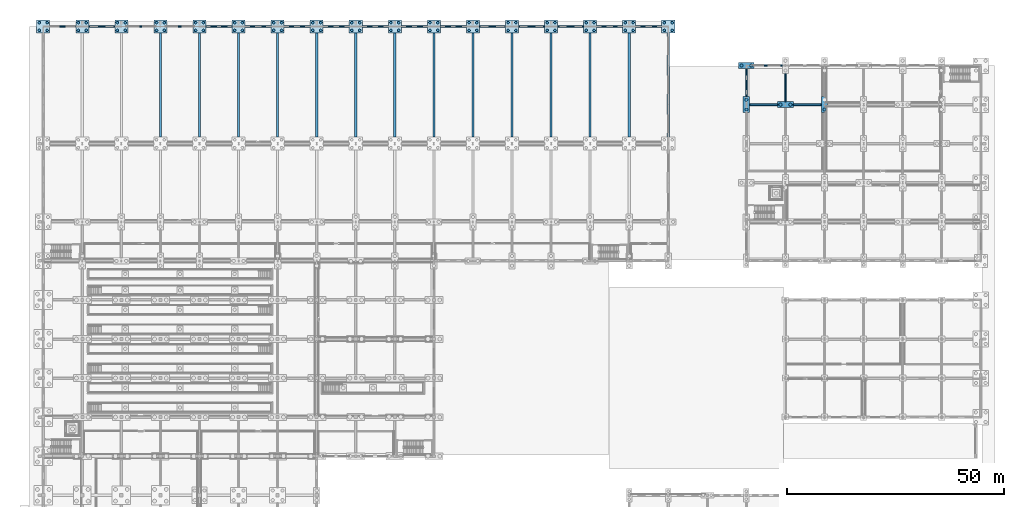
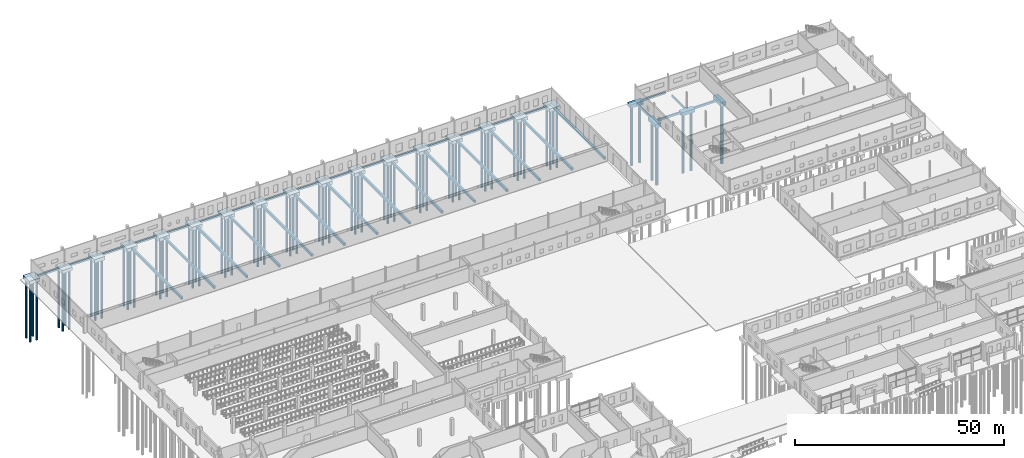
# One storey, part 17 of 112: 75 piles, 56 footings.
"""IFC4 building model written with IfcOpenShell, lengths in metres."""

from ifc_helpers import new_model, si_unit, direction, frame, origin, origin_2d, place, context, subcontext, project, spatial, polyline, rectangle, circle, outline, extrude, material, material_profile, profile_set, type_object, element, save


model = new_model("IFC4")

# Units and contexts
model_context = context("Model", 3, precision=1e-05, world=origin(), true_north=direction((0.0, 1.0)))
body_context = subcontext(model_context, "Body", "Model", "MODEL_VIEW")
ifc_project = project(units=[si_unit("LENGTHUNIT", "METRE"), si_unit("AREAUNIT", "SQUARE_METRE"), si_unit("VOLUMEUNIT", "CUBIC_METRE"), si_unit("PLANEANGLEUNIT", "RADIAN"), si_unit("MASSUNIT", "GRAM", prefix="KILO")], contexts=[model_context])

# Site, building, storey
site_placement = place(None, origin())
site = spatial("IfcSite", under=ifc_project, at=site_placement, CompositionType="ELEMENT")
building_placement = place(site_placement, origin())
building = spatial("IfcBuilding", under=site, at=building_placement, Name="Tharagai Park Tramway Depot", CompositionType="ELEMENT")
storey_placement = place(building_placement, origin())
storey = spatial("IfcBuildingStorey", under=building, at=storey_placement, Name="L00", CompositionType="ELEMENT", Elevation=0.0)

# Piles
ifc_material = material(Name="Concrete M40", Category="concrete")
ifc_material_profile_1 = material_profile(ifc_material, circle(Radius=0.375, at=origin_2d()), Name="PILE D750")
ifc_profile_set_1 = profile_set([ifc_material_profile_1], Name="Concrete M40")
pile_type_1 = type_object("IfcPileType", Name="BP-02", PredefinedType="BORED", material=ifc_profile_set_1)
for number, where, z_axis, x_axis, name in (
    (1, (162.0, 124.875, -1.280029296875), (0.0, 0.0, -1.0), (1.0, 0.0, 0.0), "Bored Pile BP-02 (162,126) #1"),
    (2, (162.0, 127.125, -1.280029296875), (0.0, 0.0, -1.0), (1.0, 0.0, 0.0), "Bored Pile BP-02 (162,126) #2"),
):
    element("IfcPile", number, at=place(storey_placement, frame(where, z_axis=z_axis, x_axis=x_axis)), inside=storey, type_object=pile_type_1, Name=name, PredefinedType="BORED", context=body_context, shape_type="SweptSolid", body=[
        extrude(circle(Radius=0.375, at=origin_2d()), origin(), (0.0, 0.0, 1.0), 17.219970703125),
    ])
for number, where, z_axis, x_axis, name in (
    (3, (160.875, 135.0, -1.25), (0.0, 0.0, -1.0), (1.0, 0.0, 0.0), "Bored Pile BP-02 (162,135) #1"),
    (4, (163.125, 135.0, -1.25), (0.0, 0.0, -1.0), (1.0, 0.0, 0.0), "Bored Pile BP-02 (162,135) #2"),
    (5, (169.875, 126.0, -1.25), (0.0, 0.0, -1.0), (1.0, 0.0, 0.0), "Bored Pile BP-02 (171,126) #1"),
    (6, (172.125, 126.0, -1.25), (0.0, 0.0, -1.0), (1.0, 0.0, 0.0), "Bored Pile BP-02 (171,126) #2"),
):
    element("IfcPile", number, at=place(storey_placement, frame(where, z_axis=z_axis, x_axis=x_axis)), inside=storey, type_object=pile_type_1, Name=name, PredefinedType="BORED", context=body_context, shape_type="SweptSolid", body=[
        extrude(circle(Radius=0.375, at=origin_2d()), origin(), (0.0, 0.0, 1.0), 17.25),
    ])
pile_placement = place(storey_placement, frame((180.0, 124.875, -1.280029296875), z_axis=(0.0, 0.0, -1.0), x_axis=(1.0, 0.0, 0.0)))
element("IfcPile", 7, at=pile_placement, inside=storey, type_object=pile_type_1, Name="Bored Pile BP-02 (180,126) #1", PredefinedType="BORED", context=body_context, shape_type="SweptSolid", body=[
    extrude(circle(Radius=0.375, at=origin_2d()), origin(), (0.0, 0.0, 1.0), 17.219970703125),
])
ifc_material_profile_2 = material_profile(ifc_material, circle(Radius=0.300048828125, at=origin_2d()), Name="PILE D600")
ifc_profile_set_2 = profile_set([ifc_material_profile_2], Name="Concrete M40")
pile_type_2 = type_object("IfcPileType", Name="BP-03", PredefinedType="BORED", material=ifc_profile_set_2)
for number, where, z_axis, x_axis, name in (
    (8, (-0.89990234375, 143.10009765625, -1.199951171875), (0.0, 0.0, -1.0), (1.0, 0.0, 0.0), "Bored Pile BP-03 (0,144) #1"),
    (9, (0.89990234375, 143.10009765625, -1.199951171875), (0.0, 0.0, -1.0), (1.0, 0.0, 0.0), "Bored Pile BP-03 (0,144) #2"),
    (10, (-0.89990234375, 144.89990234375, -1.199951171875), (0.0, 0.0, -1.0), (1.0, 0.0, 0.0), "Bored Pile BP-03 (0,144) #3"),
    (11, (0.89990234375, 144.89990234375, -1.199951171875), (0.0, 0.0, -1.0), (1.0, 0.0, 0.0), "Bored Pile BP-03 (0,144) #4"),
    (12, (8.10009765625, 143.10009765625, -1.199951171875), (0.0, 0.0, -1.0), (1.0, 0.0, 0.0), "Bored Pile BP-03 (9,144) #1"),
    (13, (9.89990234375, 143.10009765625, -1.199951171875), (0.0, 0.0, -1.0), (1.0, 0.0, 0.0), "Bored Pile BP-03 (9,144) #2"),
    (14, (8.10009765625, 144.89990234375, -1.199951171875), (0.0, 0.0, -1.0), (1.0, 0.0, 0.0), "Bored Pile BP-03 (9,144) #3"),
    (15, (9.89990234375, 144.89990234375, -1.199951171875), (0.0, 0.0, -1.0), (1.0, 0.0, 0.0), "Bored Pile BP-03 (9,144) #4"),
    (16, (17.10009765625, 143.10009765625, -1.199951171875), (0.0, 0.0, -1.0), (1.0, 0.0, 0.0), "Bored Pile BP-03 (18,144) #1"),
    (17, (18.89990234375, 143.10009765625, -1.199951171875), (0.0, 0.0, -1.0), (1.0, 0.0, 0.0), "Bored Pile BP-03 (18,144) #2"),
    (18, (17.10009765625, 144.89990234375, -1.199951171875), (0.0, 0.0, -1.0), (1.0, 0.0, 0.0), "Bored Pile BP-03 (18,144) #3"),
    (19, (18.89990234375, 144.89990234375, -1.199951171875), (0.0, 0.0, -1.0), (1.0, 0.0, 0.0), "Bored Pile BP-03 (18,144) #4"),
    (20, (26.10009765625, 143.10009765625, -1.199951171875), (0.0, 0.0, -1.0), (1.0, 0.0, 0.0), "Bored Pile BP-03 (27,144) #1"),
    (21, (27.89990234375, 143.10009765625, -1.199951171875), (0.0, 0.0, -1.0), (1.0, 0.0, 0.0), "Bored Pile BP-03 (27,144) #2"),
    (22, (26.10009765625, 144.89990234375, -1.199951171875), (0.0, 0.0, -1.0), (1.0, 0.0, 0.0), "Bored Pile BP-03 (27,144) #3"),
    (23, (27.89990234375, 144.89990234375, -1.199951171875), (0.0, 0.0, -1.0), (1.0, 0.0, 0.0), "Bored Pile BP-03 (27,144) #4"),
    (24, (35.10009765625, 143.10009765625, -1.199951171875), (0.0, 0.0, -1.0), (1.0, 0.0, 0.0), "Bored Pile BP-03 (36,144) #1"),
    (25, (36.89990234375, 143.10009765625, -1.199951171875), (0.0, 0.0, -1.0), (1.0, 0.0, 0.0), "Bored Pile BP-03 (36,144) #2"),
    (26, (35.10009765625, 144.89990234375, -1.199951171875), (0.0, 0.0, -1.0), (1.0, 0.0, 0.0), "Bored Pile BP-03 (36,144) #3"),
    (27, (36.89990234375, 144.89990234375, -1.199951171875), (0.0, 0.0, -1.0), (1.0, 0.0, 0.0), "Bored Pile BP-03 (36,144) #4"),
    (28, (44.10009765625, 143.10009765625, -1.199951171875), (0.0, 0.0, -1.0), (1.0, 0.0, 0.0), "Bored Pile BP-03 (45,144) #1"),
    (29, (45.89990234375, 143.10009765625, -1.199951171875), (0.0, 0.0, -1.0), (1.0, 0.0, 0.0), "Bored Pile BP-03 (45,144) #2"),
    (30, (44.10009765625, 144.89990234375, -1.199951171875), (0.0, 0.0, -1.0), (1.0, 0.0, 0.0), "Bored Pile BP-03 (45,144) #3"),
    (31, (45.89990234375, 144.89990234375, -1.199951171875), (0.0, 0.0, -1.0), (1.0, 0.0, 0.0), "Bored Pile BP-03 (45,144) #4"),
    (32, (53.10009765625, 143.10009765625, -1.199951171875), (0.0, 0.0, -1.0), (1.0, 0.0, 0.0), "Bored Pile BP-03 (54,144) #1"),
    (33, (54.89990234375, 143.10009765625, -1.199951171875), (0.0, 0.0, -1.0), (1.0, 0.0, 0.0), "Bored Pile BP-03 (54,144) #2"),
    (34, (53.10009765625, 144.89990234375, -1.199951171875), (0.0, 0.0, -1.0), (1.0, 0.0, 0.0), "Bored Pile BP-03 (54,144) #3"),
    (35, (54.89990234375, 144.89990234375, -1.199951171875), (0.0, 0.0, -1.0), (1.0, 0.0, 0.0), "Bored Pile BP-03 (54,144) #4"),
    (36, (62.10009765625, 143.10009765625, -1.199951171875), (0.0, 0.0, -1.0), (1.0, 0.0, 0.0), "Bored Pile BP-03 (63,144) #1"),
    (37, (63.89990234375, 143.10009765625, -1.199951171875), (0.0, 0.0, -1.0), (1.0, 0.0, 0.0), "Bored Pile BP-03 (63,144) #2"),
    (38, (62.10009765625, 144.89990234375, -1.199951171875), (0.0, 0.0, -1.0), (1.0, 0.0, 0.0), "Bored Pile BP-03 (63,144) #3"),
    (39, (63.89990234375, 144.89990234375, -1.199951171875), (0.0, 0.0, -1.0), (1.0, 0.0, 0.0), "Bored Pile BP-03 (63,144) #4"),
    (40, (71.10009765625, 143.10009765625, -1.199951171875), (0.0, 0.0, -1.0), (1.0, 0.0, 0.0), "Bored Pile BP-03 (72,144) #1"),
    (41, (72.89990234375, 143.10009765625, -1.199951171875), (0.0, 0.0, -1.0), (1.0, 0.0, 0.0), "Bored Pile BP-03 (72,144) #2"),
    (42, (71.10009765625, 144.89990234375, -1.199951171875), (0.0, 0.0, -1.0), (1.0, 0.0, 0.0), "Bored Pile BP-03 (72,144) #3"),
    (43, (72.89990234375, 144.89990234375, -1.199951171875), (0.0, 0.0, -1.0), (1.0, 0.0, 0.0), "Bored Pile BP-03 (72,144) #4"),
    (44, (80.10009765625, 143.10009765625, -1.199951171875), (0.0, 0.0, -1.0), (1.0, 0.0, 0.0), "Bored Pile BP-03 (81,144) #1"),
    (45, (81.89990234375, 143.10009765625, -1.199951171875), (0.0, 0.0, -1.0), (1.0, 0.0, 0.0), "Bored Pile BP-03 (81,144) #2"),
    (46, (80.10009765625, 144.89990234375, -1.199951171875), (0.0, 0.0, -1.0), (1.0, 0.0, 0.0), "Bored Pile BP-03 (81,144) #3"),
    (47, (81.89990234375, 144.89990234375, -1.199951171875), (0.0, 0.0, -1.0), (1.0, 0.0, 0.0), "Bored Pile BP-03 (81,144) #4"),
    (48, (89.10009765625, 143.10009765625, -1.199951171875), (0.0, 0.0, -1.0), (1.0, 0.0, 0.0), "Bored Pile BP-03 (90,144) #1"),
    (49, (90.89990234375, 143.10009765625, -1.199951171875), (0.0, 0.0, -1.0), (1.0, 0.0, 0.0), "Bored Pile BP-03 (90,144) #2"),
    (50, (89.10009765625, 144.89990234375, -1.199951171875), (0.0, 0.0, -1.0), (1.0, 0.0, 0.0), "Bored Pile BP-03 (90,144) #3"),
    (51, (90.89990234375, 144.89990234375, -1.199951171875), (0.0, 0.0, -1.0), (1.0, 0.0, 0.0), "Bored Pile BP-03 (90,144) #4"),
    (52, (98.10009765625, 143.10009765625, -1.199951171875), (0.0, 0.0, -1.0), (1.0, 0.0, 0.0), "Bored Pile BP-03 (99,144) #1"),
    (53, (99.89990234375, 143.10009765625, -1.199951171875), (0.0, 0.0, -1.0), (1.0, 0.0, 0.0), "Bored Pile BP-03 (99,144) #2"),
    (54, (98.10009765625, 144.89990234375, -1.199951171875), (0.0, 0.0, -1.0), (1.0, 0.0, 0.0), "Bored Pile BP-03 (99,144) #3"),
    (55, (99.89990234375, 144.89990234375, -1.199951171875), (0.0, 0.0, -1.0), (1.0, 0.0, 0.0), "Bored Pile BP-03 (99,144) #4"),
    (56, (107.10009765625, 143.10009765625, -1.199951171875), (0.0, 0.0, -1.0), (1.0, 0.0, 0.0), "Bored Pile BP-03 (108,144) #1"),
    (57, (108.89990234375, 143.10009765625, -1.199951171875), (0.0, 0.0, -1.0), (1.0, 0.0, 0.0), "Bored Pile BP-03 (108,144) #2"),
    (58, (107.10009765625, 144.89990234375, -1.199951171875), (0.0, 0.0, -1.0), (1.0, 0.0, 0.0), "Bored Pile BP-03 (108,144) #3"),
    (59, (108.89990234375, 144.89990234375, -1.199951171875), (0.0, 0.0, -1.0), (1.0, 0.0, 0.0), "Bored Pile BP-03 (108,144) #4"),
    (60, (116.10009765625, 143.10009765625, -1.199951171875), (0.0, 0.0, -1.0), (1.0, 0.0, 0.0), "Bored Pile BP-03 (117,144) #1"),
    (61, (117.89990234375, 143.10009765625, -1.199951171875), (0.0, 0.0, -1.0), (1.0, 0.0, 0.0), "Bored Pile BP-03 (117,144) #2"),
    (62, (116.10009765625, 144.89990234375, -1.199951171875), (0.0, 0.0, -1.0), (1.0, 0.0, 0.0), "Bored Pile BP-03 (117,144) #3"),
    (63, (117.89990234375, 144.89990234375, -1.199951171875), (0.0, 0.0, -1.0), (1.0, 0.0, 0.0), "Bored Pile BP-03 (117,144) #4"),
    (64, (125.10009765625, 143.10009765625, -1.199951171875), (0.0, 0.0, -1.0), (1.0, 0.0, 0.0), "Bored Pile BP-03 (126,144) #1"),
    (65, (126.89990234375, 143.10009765625, -1.199951171875), (0.0, 0.0, -1.0), (1.0, 0.0, 0.0), "Bored Pile BP-03 (126,144) #2"),
    (66, (125.10009765625, 144.89990234375, -1.199951171875), (0.0, 0.0, -1.0), (1.0, 0.0, 0.0), "Bored Pile BP-03 (126,144) #3"),
    (67, (126.89990234375, 144.89990234375, -1.199951171875), (0.0, 0.0, -1.0), (1.0, 0.0, 0.0), "Bored Pile BP-03 (126,144) #4"),
    (68, (134.10009765625, 143.10009765625, -1.199951171875), (0.0, 0.0, -1.0), (1.0, 0.0, 0.0), "Bored Pile BP-03 (135,144) #1"),
    (69, (135.89990234375, 143.10009765625, -1.199951171875), (0.0, 0.0, -1.0), (1.0, 0.0, 0.0), "Bored Pile BP-03 (135,144) #2"),
    (70, (134.10009765625, 144.89990234375, -1.199951171875), (0.0, 0.0, -1.0), (1.0, 0.0, 0.0), "Bored Pile BP-03 (135,144) #3"),
    (71, (135.89990234375, 144.89990234375, -1.199951171875), (0.0, 0.0, -1.0), (1.0, 0.0, 0.0), "Bored Pile BP-03 (135,144) #4"),
    (72, (143.10009765625, 143.10009765625, -1.199951171875), (0.0, 0.0, -1.0), (1.0, 0.0, 0.0), "Bored Pile BP-03 (144,144) #1"),
    (73, (144.89990234375, 143.10009765625, -1.199951171875), (0.0, 0.0, -1.0), (1.0, 0.0, 0.0), "Bored Pile BP-03 (144,144) #2"),
    (74, (143.10009765625, 144.89990234375, -1.199951171875), (0.0, 0.0, -1.0), (1.0, 0.0, 0.0), "Bored Pile BP-03 (144,144) #3"),
    (75, (144.89990234375, 144.89990234375, -1.199951171875), (0.0, 0.0, -1.0), (1.0, 0.0, 0.0), "Bored Pile BP-03 (144,144) #4"),
):
    element("IfcPile", number, at=place(storey_placement, frame(where, z_axis=z_axis, x_axis=x_axis)), inside=storey, type_object=pile_type_2, Name=name, PredefinedType="BORED", context=body_context, shape_type="SweptSolid", body=[
        extrude(circle(Radius=0.300048828125, at=origin_2d()), origin(), (0.0, 0.0, 1.0), 17.300048828125),
    ])

# Footings
footing_type_1 = type_object("IfcFootingType", Name="GB-02", PredefinedType="FOOTING_BEAM", material=ifc_material)
footing_1_placement = place(storey_placement, frame((0.0, 0.0, -1.0)))
element("IfcFooting", 76, at=footing_1_placement, inside=storey, type_object=footing_type_1, Name="Ground Tie Beam GB-02", PredefinedType="FOOTING_BEAM", context=body_context, shape_type="SweptSolid", body=[
    extrude(outline(polyline([(26.75, 118.5), (27.25, 118.5), (27.25, 142.5), (26.75, 142.5), (26.75, 118.5)])), origin(), (0.0, 0.0, 1.0), 0.699951171875),
])
footing_2_placement = place(storey_placement, frame((0.0, 0.0, -1.0)))
element("IfcFooting", 77, at=footing_2_placement, inside=storey, type_object=footing_type_1, Name="Ground Tie Beam GB-02", PredefinedType="FOOTING_BEAM", context=body_context, shape_type="SweptSolid", body=[
    extrude(outline(polyline([(35.75, 118.5), (36.25, 118.5), (36.25, 142.5), (35.75, 142.5), (35.75, 118.5)])), origin(), (0.0, 0.0, 1.0), 0.699951171875),
])
footing_3_placement = place(storey_placement, frame((0.0, 0.0, -1.0)))
element("IfcFooting", 78, at=footing_3_placement, inside=storey, type_object=footing_type_1, Name="Ground Tie Beam GB-02", PredefinedType="FOOTING_BEAM", context=body_context, shape_type="SweptSolid", body=[
    extrude(outline(polyline([(44.75, 118.5), (45.25, 118.5), (45.25, 142.5), (44.75, 142.5), (44.75, 118.5)])), origin(), (0.0, 0.0, 1.0), 0.699951171875),
])
footing_4_placement = place(storey_placement, frame((0.0, 0.0, -1.0)))
element("IfcFooting", 79, at=footing_4_placement, inside=storey, type_object=footing_type_1, Name="Ground Tie Beam GB-02", PredefinedType="FOOTING_BEAM", context=body_context, shape_type="SweptSolid", body=[
    extrude(outline(polyline([(53.75, 118.5), (54.25, 118.5), (54.25, 142.5), (53.75, 142.5), (53.75, 118.5)])), origin(), (0.0, 0.0, 1.0), 0.699951171875),
])
footing_5_placement = place(storey_placement, frame((0.0, 0.0, -1.0)))
element("IfcFooting", 80, at=footing_5_placement, inside=storey, type_object=footing_type_1, Name="Ground Tie Beam GB-02", PredefinedType="FOOTING_BEAM", context=body_context, shape_type="SweptSolid", body=[
    extrude(outline(polyline([(62.75, 118.5), (63.25, 118.5), (63.25, 142.5), (62.75, 142.5), (62.75, 118.5)])), origin(), (0.0, 0.0, 1.0), 0.699951171875),
])
footing_6_placement = place(storey_placement, frame((0.0, 0.0, -1.0)))
element("IfcFooting", 81, at=footing_6_placement, inside=storey, type_object=footing_type_1, Name="Ground Tie Beam GB-02", PredefinedType="FOOTING_BEAM", context=body_context, shape_type="SweptSolid", body=[
    extrude(outline(polyline([(71.75, 118.5), (72.25, 118.5), (72.25, 142.5), (71.75, 142.5), (71.75, 118.5)])), origin(), (0.0, 0.0, 1.0), 0.699951171875),
])
footing_7_placement = place(storey_placement, frame((0.0, 0.0, -1.0)))
element("IfcFooting", 82, at=footing_7_placement, inside=storey, type_object=footing_type_1, Name="Ground Tie Beam GB-02", PredefinedType="FOOTING_BEAM", context=body_context, shape_type="SweptSolid", body=[
    extrude(outline(polyline([(80.75, 118.5), (81.25, 118.5), (81.25, 142.5), (80.75, 142.5), (80.75, 118.5)])), origin(), (0.0, 0.0, 1.0), 0.699951171875),
])
footing_8_placement = place(storey_placement, frame((0.0, 0.0, -1.0)))
element("IfcFooting", 83, at=footing_8_placement, inside=storey, type_object=footing_type_1, Name="Ground Tie Beam GB-02", PredefinedType="FOOTING_BEAM", context=body_context, shape_type="SweptSolid", body=[
    extrude(outline(polyline([(89.75, 118.5), (90.25, 118.5), (90.25, 142.5), (89.75, 142.5), (89.75, 118.5)])), origin(), (0.0, 0.0, 1.0), 0.699951171875),
])
footing_9_placement = place(storey_placement, frame((0.0, 0.0, -1.0)))
element("IfcFooting", 84, at=footing_9_placement, inside=storey, type_object=footing_type_1, Name="Ground Tie Beam GB-02", PredefinedType="FOOTING_BEAM", context=body_context, shape_type="SweptSolid", body=[
    extrude(outline(polyline([(98.75, 118.5), (99.25, 118.5), (99.25, 142.5), (98.75, 142.5), (98.75, 118.5)])), origin(), (0.0, 0.0, 1.0), 0.699951171875),
])
footing_10_placement = place(storey_placement, frame((0.0, 0.0, -1.0)))
element("IfcFooting", 85, at=footing_10_placement, inside=storey, type_object=footing_type_1, Name="Ground Tie Beam GB-02", PredefinedType="FOOTING_BEAM", context=body_context, shape_type="SweptSolid", body=[
    extrude(outline(polyline([(107.75, 118.5), (108.25, 118.5), (108.25, 142.5), (107.75, 142.5), (107.75, 118.5)])), origin(), (0.0, 0.0, 1.0), 0.699951171875),
])
footing_11_placement = place(storey_placement, frame((0.0, 0.0, -1.0)))
element("IfcFooting", 86, at=footing_11_placement, inside=storey, type_object=footing_type_1, Name="Ground Tie Beam GB-02", PredefinedType="FOOTING_BEAM", context=body_context, shape_type="SweptSolid", body=[
    extrude(outline(polyline([(116.75, 118.5), (117.25, 118.5), (117.25, 142.5), (116.75, 142.5), (116.75, 118.5)])), origin(), (0.0, 0.0, 1.0), 0.699951171875),
])
footing_12_placement = place(storey_placement, frame((0.0, 0.0, -1.0)))
element("IfcFooting", 87, at=footing_12_placement, inside=storey, type_object=footing_type_1, Name="Ground Tie Beam GB-02", PredefinedType="FOOTING_BEAM", context=body_context, shape_type="SweptSolid", body=[
    extrude(outline(polyline([(125.75, 118.5), (126.25, 118.5), (126.25, 142.5), (125.75, 142.5), (125.75, 118.5)])), origin(), (0.0, 0.0, 1.0), 0.699951171875),
])
footing_13_placement = place(storey_placement, frame((0.0, 0.0, -1.0)))
element("IfcFooting", 88, at=footing_13_placement, inside=storey, type_object=footing_type_1, Name="Ground Tie Beam GB-02", PredefinedType="FOOTING_BEAM", context=body_context, shape_type="SweptSolid", body=[
    extrude(outline(polyline([(134.75, 118.5), (135.25, 118.5), (135.25, 142.5), (134.75, 142.5), (134.75, 118.5)])), origin(), (0.0, 0.0, 1.0), 0.699951171875),
])
footing_14_placement = place(storey_placement, frame((0.0, 0.0, -1.0)))
element("IfcFooting", 89, at=footing_14_placement, inside=storey, type_object=footing_type_1, Name="Ground Tie Beam GB-02", PredefinedType="FOOTING_BEAM", context=body_context, shape_type="SweptSolid", body=[
    extrude(outline(polyline([(143.75, 118.5), (144.25, 118.5), (144.25, 142.5), (143.75, 142.5), (143.75, 118.5)])), origin(), (0.0, 0.0, 1.0), 0.699951171875),
])
footing_type_2 = type_object("IfcFootingType", Name="GB-03", PredefinedType="FOOTING_BEAM", material=ifc_material)
footing_15_placement = place(storey_placement, frame((0.0, 0.0, -0.85009765625)))
element("IfcFooting", 90, at=footing_15_placement, inside=storey, type_object=footing_type_2, Name="Ground Tie Beam GB-03", PredefinedType="FOOTING_BEAM", context=body_context, shape_type="SweptSolid", body=[
    extrude(outline(polyline([(161.824951171875, 127.85009765625), (162.175048828125, 127.85009765625), (162.175048828125, 134.300048828125), (161.824951171875, 134.300048828125), (161.824951171875, 127.85009765625)])), origin(), (0.0, 0.0, 1.0), 0.550048828125),
])
footing_16_placement = place(storey_placement, frame((0.0, 0.0, -0.85009765625)))
element("IfcFooting", 91, at=footing_16_placement, inside=storey, type_object=footing_type_2, Name="Ground Tie Beam GB-03", PredefinedType="FOOTING_BEAM", context=body_context, shape_type="SweptSolid", body=[
    extrude(outline(polyline([(170.824951171875, 126.699951171875), (171.175048828125, 126.699951171875), (171.175048828125, 133.14990234375), (170.824951171875, 133.14990234375), (170.824951171875, 126.699951171875)])), origin(), (0.0, 0.0, 1.0), 0.550048828125),
])
footing_type_3 = type_object("IfcFootingType", Name="GB-04", PredefinedType="FOOTING_BEAM", material=ifc_material)
footing_17_placement = place(storey_placement, frame((0.0, 0.0, -0.89990234375)))
element("IfcFooting", 92, at=footing_17_placement, inside=storey, type_object=footing_type_3, Name="Ground Tie Beam GB-04", PredefinedType="FOOTING_BEAM", context=body_context, shape_type="SweptSolid", body=[
    extrude(outline(polyline([(162.72509765625, 125.800048828125), (169.199951171875, 125.800048828125), (169.199951171875, 126.199951171875), (162.72509765625, 126.199951171875), (162.72509765625, 125.800048828125)])), origin(), (0.0, 0.0, 1.0), 0.599853515625),
])
footing_18_placement = place(storey_placement, frame((0.0, 0.0, -0.89990234375)))
element("IfcFooting", 93, at=footing_18_placement, inside=storey, type_object=footing_type_3, Name="Ground Tie Beam GB-04", PredefinedType="FOOTING_BEAM", context=body_context, shape_type="SweptSolid", body=[
    extrude(outline(polyline([(172.800048828125, 125.800048828125), (179.27490234375, 125.800048828125), (179.27490234375, 126.199951171875), (172.800048828125, 126.199951171875), (172.800048828125, 125.800048828125)])), origin(), (0.0, 0.0, 1.0), 0.599853515625),
])
footing_19_placement = place(storey_placement, frame((0.0, 0.0, -0.89990234375)))
element("IfcFooting", 94, at=footing_19_placement, inside=storey, type_object=footing_type_3, Name="Ground Tie Beam GB-04", PredefinedType="FOOTING_BEAM", context=body_context, shape_type="SweptSolid", body=[
    extrude(outline(polyline([(163.800048828125, 134.800048828125), (170.27490234375, 134.800048828125), (170.27490234375, 135.199951171875), (163.800048828125, 135.199951171875), (163.800048828125, 134.800048828125)])), origin(), (0.0, 0.0, 1.0), 0.599853515625),
])
footing_20_placement = place(storey_placement, frame((0.0, 0.0, -0.89990234375)))
element("IfcFooting", 95, at=footing_20_placement, inside=storey, type_object=footing_type_3, Name="Ground Tie Beam GB-04", PredefinedType="FOOTING_BEAM", context=body_context, shape_type="SweptSolid", body=[
    extrude(outline(polyline([(1.5, 143.800048828125), (7.5, 143.800048828125), (7.5, 144.199951171875), (1.5, 144.199951171875), (1.5, 143.800048828125)])), origin(), (0.0, 0.0, 1.0), 0.599853515625),
])
footing_21_placement = place(storey_placement, frame((0.0, 0.0, -0.89990234375)))
element("IfcFooting", 96, at=footing_21_placement, inside=storey, type_object=footing_type_3, Name="Ground Tie Beam GB-04", PredefinedType="FOOTING_BEAM", context=body_context, shape_type="SweptSolid", body=[
    extrude(outline(polyline([(10.5, 143.800048828125), (16.5, 143.800048828125), (16.5, 144.199951171875), (10.5, 144.199951171875), (10.5, 143.800048828125)])), origin(), (0.0, 0.0, 1.0), 0.599853515625),
])
footing_22_placement = place(storey_placement, frame((0.0, 0.0, -0.89990234375)))
element("IfcFooting", 97, at=footing_22_placement, inside=storey, type_object=footing_type_3, Name="Ground Tie Beam GB-04", PredefinedType="FOOTING_BEAM", context=body_context, shape_type="SweptSolid", body=[
    extrude(outline(polyline([(19.5, 143.800048828125), (25.5, 143.800048828125), (25.5, 144.199951171875), (19.5, 144.199951171875), (19.5, 143.800048828125)])), origin(), (0.0, 0.0, 1.0), 0.599853515625),
])
footing_23_placement = place(storey_placement, frame((0.0, 0.0, -0.89990234375)))
element("IfcFooting", 98, at=footing_23_placement, inside=storey, type_object=footing_type_3, Name="Ground Tie Beam GB-04", PredefinedType="FOOTING_BEAM", context=body_context, shape_type="SweptSolid", body=[
    extrude(outline(polyline([(28.5, 143.800048828125), (34.5, 143.800048828125), (34.5, 144.199951171875), (28.5, 144.199951171875), (28.5, 143.800048828125)])), origin(), (0.0, 0.0, 1.0), 0.599853515625),
])
footing_24_placement = place(storey_placement, frame((0.0, 0.0, -0.89990234375)))
element("IfcFooting", 99, at=footing_24_placement, inside=storey, type_object=footing_type_3, Name="Ground Tie Beam GB-04", PredefinedType="FOOTING_BEAM", context=body_context, shape_type="SweptSolid", body=[
    extrude(outline(polyline([(37.5, 143.800048828125), (43.5, 143.800048828125), (43.5, 144.199951171875), (37.5, 144.199951171875), (37.5, 143.800048828125)])), origin(), (0.0, 0.0, 1.0), 0.599853515625),
])
footing_25_placement = place(storey_placement, frame((0.0, 0.0, -0.89990234375)))
element("IfcFooting", 100, at=footing_25_placement, inside=storey, type_object=footing_type_3, Name="Ground Tie Beam GB-04", PredefinedType="FOOTING_BEAM", context=body_context, shape_type="SweptSolid", body=[
    extrude(outline(polyline([(46.5, 143.800048828125), (52.5, 143.800048828125), (52.5, 144.199951171875), (46.5, 144.199951171875), (46.5, 143.800048828125)])), origin(), (0.0, 0.0, 1.0), 0.599853515625),
])
footing_26_placement = place(storey_placement, frame((0.0, 0.0, -0.89990234375)))
element("IfcFooting", 101, at=footing_26_placement, inside=storey, type_object=footing_type_3, Name="Ground Tie Beam GB-04", PredefinedType="FOOTING_BEAM", context=body_context, shape_type="SweptSolid", body=[
    extrude(outline(polyline([(55.5, 143.800048828125), (61.5, 143.800048828125), (61.5, 144.199951171875), (55.5, 144.199951171875), (55.5, 143.800048828125)])), origin(), (0.0, 0.0, 1.0), 0.599853515625),
])
footing_27_placement = place(storey_placement, frame((0.0, 0.0, -0.89990234375)))
element("IfcFooting", 102, at=footing_27_placement, inside=storey, type_object=footing_type_3, Name="Ground Tie Beam GB-04", PredefinedType="FOOTING_BEAM", context=body_context, shape_type="SweptSolid", body=[
    extrude(outline(polyline([(64.5, 143.800048828125), (70.5, 143.800048828125), (70.5, 144.199951171875), (64.5, 144.199951171875), (64.5, 143.800048828125)])), origin(), (0.0, 0.0, 1.0), 0.599853515625),
])
footing_28_placement = place(storey_placement, frame((0.0, 0.0, -0.89990234375)))
element("IfcFooting", 103, at=footing_28_placement, inside=storey, type_object=footing_type_3, Name="Ground Tie Beam GB-04", PredefinedType="FOOTING_BEAM", context=body_context, shape_type="SweptSolid", body=[
    extrude(outline(polyline([(73.5, 143.800048828125), (79.5, 143.800048828125), (79.5, 144.199951171875), (73.5, 144.199951171875), (73.5, 143.800048828125)])), origin(), (0.0, 0.0, 1.0), 0.599853515625),
])
footing_29_placement = place(storey_placement, frame((0.0, 0.0, -0.89990234375)))
element("IfcFooting", 104, at=footing_29_placement, inside=storey, type_object=footing_type_3, Name="Ground Tie Beam GB-04", PredefinedType="FOOTING_BEAM", context=body_context, shape_type="SweptSolid", body=[
    extrude(outline(polyline([(82.5, 143.800048828125), (88.5, 143.800048828125), (88.5, 144.199951171875), (82.5, 144.199951171875), (82.5, 143.800048828125)])), origin(), (0.0, 0.0, 1.0), 0.599853515625),
])
footing_30_placement = place(storey_placement, frame((0.0, 0.0, -0.89990234375)))
element("IfcFooting", 105, at=footing_30_placement, inside=storey, type_object=footing_type_3, Name="Ground Tie Beam GB-04", PredefinedType="FOOTING_BEAM", context=body_context, shape_type="SweptSolid", body=[
    extrude(outline(polyline([(91.5, 143.800048828125), (97.5, 143.800048828125), (97.5, 144.199951171875), (91.5, 144.199951171875), (91.5, 143.800048828125)])), origin(), (0.0, 0.0, 1.0), 0.599853515625),
])
footing_31_placement = place(storey_placement, frame((0.0, 0.0, -0.89990234375)))
element("IfcFooting", 106, at=footing_31_placement, inside=storey, type_object=footing_type_3, Name="Ground Tie Beam GB-04", PredefinedType="FOOTING_BEAM", context=body_context, shape_type="SweptSolid", body=[
    extrude(outline(polyline([(100.5, 143.800048828125), (106.5, 143.800048828125), (106.5, 144.199951171875), (100.5, 144.199951171875), (100.5, 143.800048828125)])), origin(), (0.0, 0.0, 1.0), 0.599853515625),
])
footing_32_placement = place(storey_placement, frame((0.0, 0.0, -0.89990234375)))
element("IfcFooting", 107, at=footing_32_placement, inside=storey, type_object=footing_type_3, Name="Ground Tie Beam GB-04", PredefinedType="FOOTING_BEAM", context=body_context, shape_type="SweptSolid", body=[
    extrude(outline(polyline([(109.5, 143.800048828125), (115.5, 143.800048828125), (115.5, 144.199951171875), (109.5, 144.199951171875), (109.5, 143.800048828125)])), origin(), (0.0, 0.0, 1.0), 0.599853515625),
])
footing_33_placement = place(storey_placement, frame((0.0, 0.0, -0.89990234375)))
element("IfcFooting", 108, at=footing_33_placement, inside=storey, type_object=footing_type_3, Name="Ground Tie Beam GB-04", PredefinedType="FOOTING_BEAM", context=body_context, shape_type="SweptSolid", body=[
    extrude(outline(polyline([(118.5, 143.800048828125), (124.5, 143.800048828125), (124.5, 144.199951171875), (118.5, 144.199951171875), (118.5, 143.800048828125)])), origin(), (0.0, 0.0, 1.0), 0.599853515625),
])
footing_34_placement = place(storey_placement, frame((0.0, 0.0, -0.89990234375)))
element("IfcFooting", 109, at=footing_34_placement, inside=storey, type_object=footing_type_3, Name="Ground Tie Beam GB-04", PredefinedType="FOOTING_BEAM", context=body_context, shape_type="SweptSolid", body=[
    extrude(outline(polyline([(127.5, 143.800048828125), (133.5, 143.800048828125), (133.5, 144.199951171875), (127.5, 144.199951171875), (127.5, 143.800048828125)])), origin(), (0.0, 0.0, 1.0), 0.599853515625),
])
footing_35_placement = place(storey_placement, frame((0.0, 0.0, -0.89990234375)))
element("IfcFooting", 110, at=footing_35_placement, inside=storey, type_object=footing_type_3, Name="Ground Tie Beam GB-04", PredefinedType="FOOTING_BEAM", context=body_context, shape_type="SweptSolid", body=[
    extrude(outline(polyline([(136.5, 143.800048828125), (142.5, 143.800048828125), (142.5, 144.199951171875), (136.5, 144.199951171875), (136.5, 143.800048828125)])), origin(), (0.0, 0.0, 1.0), 0.599853515625),
])
footing_type_4 = type_object("IfcFootingType", Name="PC-02", PredefinedType="PILE_CAP", material=ifc_material)
for number, where, z_axis, x_axis, name in (
    (111, (0.0, 144.0, -1.300048828125), (0.0, 0.0, 1.0), (1.0, 0.0, 0.0), "Pile Cap PC-02 (0,144)"),
    (112, (9.0, 144.0, -1.300048828125), (0.0, 0.0, 1.0), (1.0, 0.0, 0.0), "Pile Cap PC-02 (9,144)"),
    (113, (18.0, 144.0, -1.300048828125), (0.0, 0.0, 1.0), (1.0, 0.0, 0.0), "Pile Cap PC-02 (18,144)"),
    (114, (27.0, 144.0, -1.300048828125), (0.0, 0.0, 1.0), (1.0, 0.0, 0.0), "Pile Cap PC-02 (27,144)"),
    (115, (36.0, 144.0, -1.300048828125), (0.0, 0.0, 1.0), (1.0, 0.0, 0.0), "Pile Cap PC-02 (36,144)"),
    (116, (45.0, 144.0, -1.300048828125), (0.0, 0.0, 1.0), (1.0, 0.0, 0.0), "Pile Cap PC-02 (45,144)"),
    (117, (54.0, 144.0, -1.300048828125), (0.0, 0.0, 1.0), (1.0, 0.0, 0.0), "Pile Cap PC-02 (54,144)"),
    (118, (63.0, 144.0, -1.300048828125), (0.0, 0.0, 1.0), (1.0, 0.0, 0.0), "Pile Cap PC-02 (63,144)"),
    (119, (72.0, 144.0, -1.300048828125), (0.0, 0.0, 1.0), (1.0, 0.0, 0.0), "Pile Cap PC-02 (72,144)"),
    (120, (81.0, 144.0, -1.300048828125), (0.0, 0.0, 1.0), (1.0, 0.0, 0.0), "Pile Cap PC-02 (81,144)"),
    (121, (90.0, 144.0, -1.300048828125), (0.0, 0.0, 1.0), (1.0, 0.0, 0.0), "Pile Cap PC-02 (90,144)"),
    (122, (99.0, 144.0, -1.300048828125), (0.0, 0.0, 1.0), (1.0, 0.0, 0.0), "Pile Cap PC-02 (99,144)"),
    (123, (108.0, 144.0, -1.300048828125), (0.0, 0.0, 1.0), (1.0, 0.0, 0.0), "Pile Cap PC-02 (108,144)"),
    (124, (117.0, 144.0, -1.300048828125), (0.0, 0.0, 1.0), (1.0, 0.0, 0.0), "Pile Cap PC-02 (117,144)"),
    (125, (126.0, 144.0, -1.300048828125), (0.0, 0.0, 1.0), (1.0, 0.0, 0.0), "Pile Cap PC-02 (126,144)"),
    (126, (135.0, 144.0, -1.300048828125), (0.0, 0.0, 1.0), (1.0, 0.0, 0.0), "Pile Cap PC-02 (135,144)"),
    (127, (144.0, 144.0, -1.300048828125), (0.0, 0.0, 1.0), (1.0, 0.0, 0.0), "Pile Cap PC-02 (144,144)"),
):
    element("IfcFooting", number, at=place(storey_placement, frame(where, z_axis=z_axis, x_axis=x_axis)), inside=storey, type_object=footing_type_4, Name=name, PredefinedType="PILE_CAP", context=body_context, shape_type="SweptSolid", body=[
        extrude(rectangle(XDim=3.0, YDim=3.0, at=origin_2d()), origin(), (0.0, 0.0, 1.0), 1.0),
    ])
footing_type_5 = type_object("IfcFootingType", Name="PC-11", PredefinedType="PILE_CAP", material=ifc_material)
for number, where, z_axis, x_axis, name in (
    (128, (162.0, 135.0, -1.35009765625), (0.0, 0.0, 1.0), (1.0, 0.0, 0.0), "Pile Cap PC-11 (162,135)"),
    (129, (171.0, 126.0, -1.35009765625), (0.0, 0.0, 1.0), (1.0, 0.0, 0.0), "Pile Cap PC-11 (171,126)"),
):
    element("IfcFooting", number, at=place(storey_placement, frame(where, z_axis=z_axis, x_axis=x_axis)), inside=storey, type_object=footing_type_5, Name=name, PredefinedType="PILE_CAP", context=body_context, shape_type="SweptSolid", body=[
        extrude(rectangle(XDim=3.60009765625, YDim=1.39990234375, at=origin_2d()), origin(), (0.0, 0.0, 1.0), 1.050048828125),
    ])
footing_type_6 = type_object("IfcFootingType", Name="PC-14", PredefinedType="PILE_CAP", material=ifc_material)
for number, where, z_axis, x_axis, name in (
    (130, (162.0, 126.0, -1.380126953125), (0.0, 0.0, 1.0), (1.0, 0.0, 0.0), "Pile Cap PC-14 (162,126)"),
    (131, (180.0, 126.0, -1.380126953125), (0.0, 0.0, 1.0), (1.0, 0.0, 0.0), "Pile Cap PC-14 (180,126)"),
):
    element("IfcFooting", number, at=place(storey_placement, frame(where, z_axis=z_axis, x_axis=x_axis)), inside=storey, type_object=footing_type_6, Name=name, PredefinedType="PILE_CAP", context=body_context, shape_type="SweptSolid", body=[
        extrude(rectangle(XDim=1.449951171875, YDim=3.699951171875, at=origin_2d()), origin(), (0.0, 0.0, 1.0), 1.080078125),
    ])

save(model, "model.ifc")
